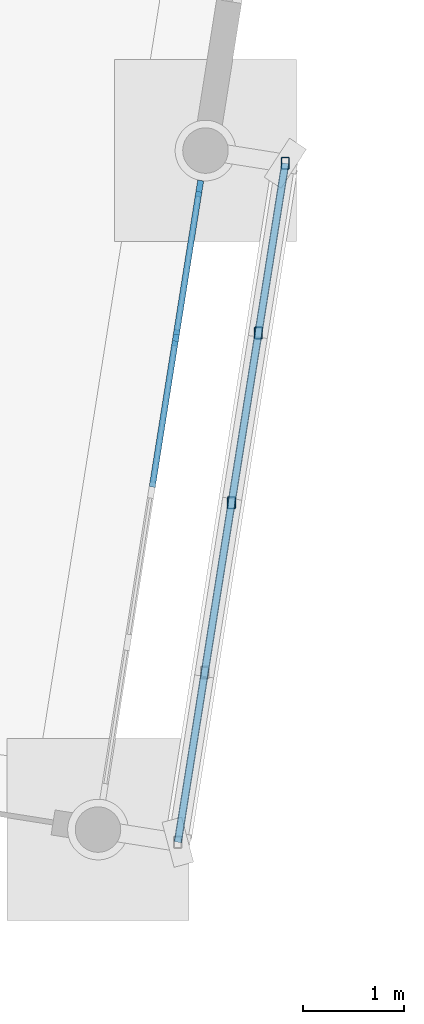
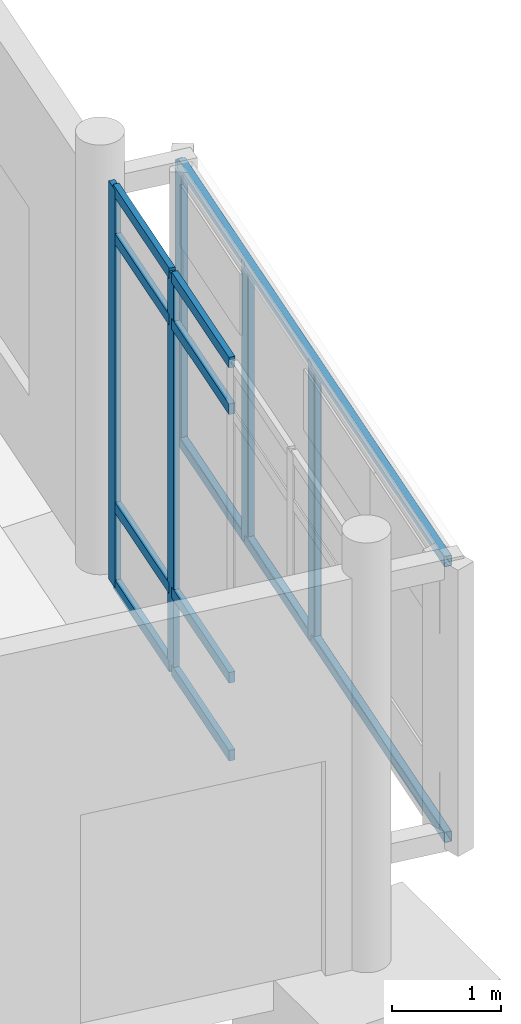
# One storey, part 27 of 72: 15 members, 1 element without a shape of its own.
"""IFC4 building model written with IfcOpenShell, lengths in metres."""

from ifc_helpers import new_model, si_unit, direction, frame, origin, origin_2d, place, context, subcontext, project, spatial, rectangle, hollow_rectangle, extrude, material, material_profile, profile_set, type_object, element, aggregate, save


model = new_model("IFC4")

# Units and contexts
model_context = context("Model", 3, precision=1e-05, world=origin(), true_north=direction((0.0, 1.0)))
body_context = subcontext(model_context, "Body", "Model", "MODEL_VIEW")
ifc_project = project(units=[si_unit("LENGTHUNIT", "METRE"), si_unit("AREAUNIT", "SQUARE_METRE"), si_unit("VOLUMEUNIT", "CUBIC_METRE"), si_unit("PLANEANGLEUNIT", "RADIAN"), si_unit("MASSUNIT", "GRAM", prefix="KILO")], contexts=[model_context])

# Site, building, storey
site_placement = place(None, origin())
site = spatial("IfcSite", under=ifc_project, at=site_placement, CompositionType="ELEMENT")
building_placement = place(site_placement, origin())
building = spatial("IfcBuilding", under=site, at=building_placement, Name="Cinderway Yard Community Centre", CompositionType="ELEMENT")
storey_placement = place(building_placement, origin())
storey = spatial("IfcBuildingStorey", under=building, at=storey_placement, Name="L00", CompositionType="ELEMENT", Elevation=0.0)

# Curtain wall, members
ifc_material_1 = material(Name="Aluminium 6063-T6", Category="aluminium")
curtain_wall_type = type_object("IfcCurtainWallType", Name="ENV-CW-TYPE-21", PredefinedType="USERDEFINED", material=ifc_material_1)
curtain_wall_placement = place(storey_placement, origin())
curtain_wall = element("IfcCurtainWall", 1, at=curtain_wall_placement, inside=storey, type_object=curtain_wall_type, Name="East Entrance Pavilion Curtain Wall ENV-CW-L00-ST-0070", ObjectType="GLAZED CURTAIN WALL", PredefinedType="USERDEFINED")
ifc_material_profile_1 = material_profile(ifc_material_1, rectangle(XDim=0.06005859375, YDim=0.159912109375, at=origin_2d()), Name="Aluminium 6063-T6")
ifc_profile_set_1 = profile_set([ifc_material_profile_1], Name="Aluminium 6063-T6")
member_type_1 = type_object("IfcMemberType", Name="ENV-CW-MULL-150", PredefinedType="MULLION", material=ifc_profile_set_1)
member_1_placement = place(storey_placement, frame((164.849853515625, 49.335693359375, 0.0), z_axis=(0.0, 0.0, 1.0), x_axis=(-0.987720393592, 0.156231956025, 0.0)))
member_1 = element("IfcMember", 2, at=member_1_placement, type_object=member_type_1, Name="CW-21 mullion 4", PredefinedType="MULLION", context=body_context, shape_type="SweptSolid", body=[
    extrude(rectangle(XDim=0.06005859375, YDim=0.159912109375, at=origin_2d()), origin(), (0.0, 0.0, 1.0), 4.449951171875),
])
member_2_placement = place(storey_placement, frame((165.083251953125, 50.812255859375, 0.0), z_axis=(0.0, 0.0, 1.0), x_axis=(-0.987720393592, 0.156231956025, 0.0)))
member_2 = element("IfcMember", 3, at=member_2_placement, type_object=member_type_1, Name="CW-21 mullion 5", PredefinedType="MULLION", context=body_context, shape_type="SweptSolid", body=[
    extrude(rectangle(XDim=0.06005859375, YDim=0.159912109375, at=origin_2d()), origin(), (0.0, 0.0, 1.0), 4.449951171875),
])
ifc_material_profile_2 = material_profile(ifc_material_1, rectangle(XDim=0.06005859375, YDim=0.1201171875, at=origin_2d()), Name="Aluminium 6063-T6")
ifc_profile_set_2 = profile_set([ifc_material_profile_2], Name="Aluminium 6063-T6")
member_type_2 = type_object("IfcMemberType", Name="ENV-CW-TRAN-110", PredefinedType="USERDEFINED", material=ifc_profile_set_2)
member_3_placement = place(storey_placement, frame((164.6162109375, 47.859130859375, 0.030029296875), z_axis=(0.156150839846, 0.98773322067, 0.0), x_axis=(-0.98773322067, 0.156150839846, 0.0)))
member_3 = element("IfcMember", 4, at=member_3_placement, type_object=member_type_2, Name="CW-21 transom 3.1", ObjectType="TRANSOM", PredefinedType="USERDEFINED", context=body_context, shape_type="SweptSolid", body=[
    extrude(rectangle(XDim=0.06005859375, YDim=0.1201171875, at=origin_2d()), origin(), (0.0, 0.0, 1.0), 1.465087890625),
])
member_4_placement = place(storey_placement, frame((164.6162109375, 47.859130859375, 0.89990234375), z_axis=(0.156150839846, 0.98773322067, 0.0), x_axis=(-0.98773322067, 0.156150839846, 0.0)))
member_4 = element("IfcMember", 5, at=member_4_placement, type_object=member_type_2, Name="CW-21 transom 3.2", ObjectType="TRANSOM", PredefinedType="USERDEFINED", context=body_context, shape_type="SweptSolid", body=[
    extrude(rectangle(XDim=0.06005859375, YDim=0.1201171875, at=origin_2d()), origin(), (0.0, 0.0, 1.0), 1.465087890625),
])
member_5_placement = place(storey_placement, frame((164.6162109375, 47.859130859375, 3.89990234375), z_axis=(0.156150839846, 0.98773322067, 0.0), x_axis=(-0.98773322067, 0.156150839846, 0.0)))
member_5 = element("IfcMember", 6, at=member_5_placement, type_object=member_type_2, Name="CW-21 transom 3.3", ObjectType="TRANSOM", PredefinedType="USERDEFINED", context=body_context, shape_type="SweptSolid", body=[
    extrude(rectangle(XDim=0.06005859375, YDim=0.1201171875, at=origin_2d()), origin(), (0.0, 0.0, 1.0), 1.465087890625),
])
member_6_placement = place(storey_placement, frame((164.6162109375, 47.859130859375, 4.419921875), z_axis=(0.156150839846, 0.98773322067, 0.0), x_axis=(-0.98773322067, 0.156150839846, 0.0)))
member_6 = element("IfcMember", 7, at=member_6_placement, type_object=member_type_2, Name="CW-21 transom 3.4", ObjectType="TRANSOM", PredefinedType="USERDEFINED", context=body_context, shape_type="SweptSolid", body=[
    extrude(rectangle(XDim=0.06005859375, YDim=0.1201171875, at=origin_2d()), origin(), (0.0, 0.0, 1.0), 1.465087890625),
])
member_7_placement = place(storey_placement, frame((164.8544921875, 49.365478515625, 0.030029296875), z_axis=(0.15619848088, 0.987725687917, 0.0), x_axis=(-0.987725687917, 0.15619848088, 0.0)))
member_7 = element("IfcMember", 8, at=member_7_placement, type_object=member_type_2, Name="CW-21 transom 4.1", ObjectType="TRANSOM", PredefinedType="USERDEFINED", context=body_context, shape_type="SweptSolid", body=[
    extrude(rectangle(XDim=0.06005859375, YDim=0.1201171875, at=origin_2d()), origin(), (0.0, 0.0, 1.0), 1.434814453125),
])
member_8_placement = place(storey_placement, frame((164.8544921875, 49.365478515625, 0.89990234375), z_axis=(0.15619848088, 0.987725687917, 0.0), x_axis=(-0.987725687917, 0.15619848088, 0.0)))
member_8 = element("IfcMember", 9, at=member_8_placement, type_object=member_type_2, Name="CW-21 transom 4.2", ObjectType="TRANSOM", PredefinedType="USERDEFINED", context=body_context, shape_type="SweptSolid", body=[
    extrude(rectangle(XDim=0.06005859375, YDim=0.1201171875, at=origin_2d()), origin(), (0.0, 0.0, 1.0), 1.434814453125),
])
member_9_placement = place(storey_placement, frame((164.8544921875, 49.365478515625, 3.89990234375), z_axis=(0.15619848088, 0.987725687917, 0.0), x_axis=(-0.987725687917, 0.15619848088, 0.0)))
member_9 = element("IfcMember", 10, at=member_9_placement, type_object=member_type_2, Name="CW-21 transom 4.3", ObjectType="TRANSOM", PredefinedType="USERDEFINED", context=body_context, shape_type="SweptSolid", body=[
    extrude(rectangle(XDim=0.06005859375, YDim=0.1201171875, at=origin_2d()), origin(), (0.0, 0.0, 1.0), 1.434814453125),
])
member_10_placement = place(storey_placement, frame((164.8544921875, 49.365478515625, 4.419921875), z_axis=(0.15619848088, 0.987725687917, 0.0), x_axis=(-0.987725687917, 0.15619848088, 0.0)))
member_10 = element("IfcMember", 11, at=member_10_placement, type_object=member_type_2, Name="CW-21 transom 4.4", ObjectType="TRANSOM", PredefinedType="USERDEFINED", context=body_context, shape_type="SweptSolid", body=[
    extrude(rectangle(XDim=0.06005859375, YDim=0.1201171875, at=origin_2d()), origin(), (0.0, 0.0, 1.0), 1.434814453125),
])
aggregate(curtain_wall, [member_1, member_2, member_3, member_4, member_5, member_6, member_7, member_8, member_9, member_10])

# Members
ifc_material_2 = material(Name="Steel S355", Category="steel")
ifc_material_profile_3 = material_profile(ifc_material_2, hollow_rectangle(XDim=0.080078125, YDim=0.1201171875, WallThickness=0.00634765625, InnerFilletRadius=0.00634765625, OuterFilletRadius=0.0126953125, at=origin_2d()), Name="Steel S355")
ifc_profile_set_3 = profile_set([ifc_material_profile_3], Name="Steel S355")
member_type_3 = type_object("IfcMemberType", Name="ENV-MEM-SCREEN-RAIL-120", PredefinedType="STRINGER", material=ifc_profile_set_3)
for number, where, z_axis, x_axis, name in (
    (12, (164.8701171875, 44.345947265625, 1.159912109375), (0.15630729813, 0.987708473463, 0.0), (-0.987708473463, 0.15630729813, 0.0), "Screen support rail 1112-BOT"),
    (13, (164.8701171875, 44.345947265625, 4.239990234375), (0.15630729813, 0.987708473463, 0.0), (-0.987708473463, 0.15630729813, 0.0), "Screen support rail 1113-TOP"),
):
    element("IfcMember", number, at=place(storey_placement, frame(where, z_axis=z_axis, x_axis=x_axis)), inside=storey, type_object=member_type_3, Name=name, PredefinedType="STRINGER", context=body_context, shape_type="SweptSolid", body=[
        extrude(hollow_rectangle(XDim=0.080078125, YDim=0.1201171875, WallThickness=0.00634765625, InnerFilletRadius=0.00634765625, OuterFilletRadius=0.0126953125, at=origin_2d()), origin(), (0.0, 0.0, 1.0), 6.800537109375),
    ])
for number, where, z_axis, x_axis, name in (
    (14, (165.40087890625, 47.7041015625, 1.139892578125), (0.0, 0.0, 1.0), (1.0, 0.0, 0.0), "Screen vertical mullion 1116"),
    (15, (165.6669921875, 49.384033203125, 1.139892578125), (0.0, 0.0, 1.0), (1.0, 0.0, 0.0), "Screen vertical mullion 1117"),
    (16, (165.93310546875, 51.06298828125, 1.139892578125), (0.0, 0.0, 1.0), (1.0, 0.0, 0.0), "Screen vertical mullion 1118"),
):
    element("IfcMember", number, at=place(storey_placement, frame(where, z_axis=z_axis, x_axis=x_axis)), inside=storey, type_object=member_type_3, Name=name, PredefinedType="STRINGER", context=body_context, shape_type="SweptSolid", body=[
        extrude(hollow_rectangle(XDim=0.080078125, YDim=0.1201171875, WallThickness=0.00634765625, InnerFilletRadius=0.00634765625, OuterFilletRadius=0.0126953125, at=origin_2d()), origin(), (0.0, 0.0, 1.0), 3.1201171875),
    ])

save(model, "model.ifc")
